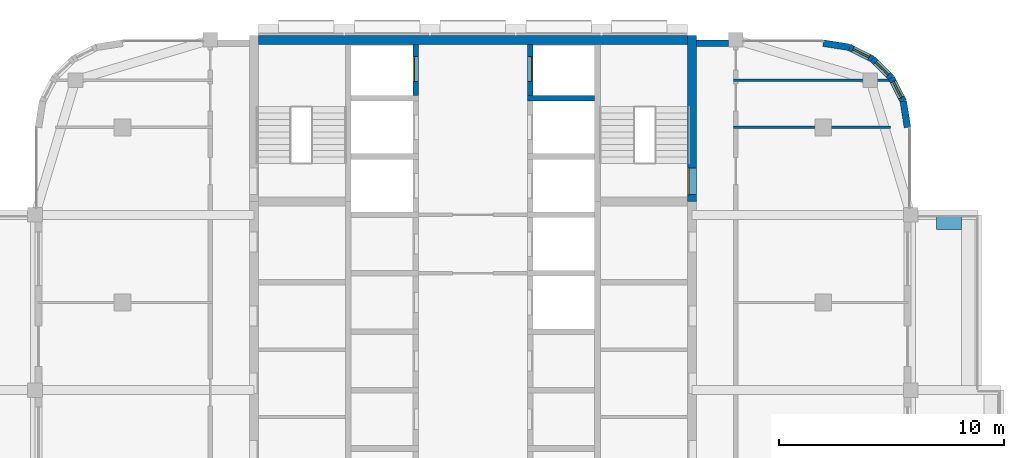
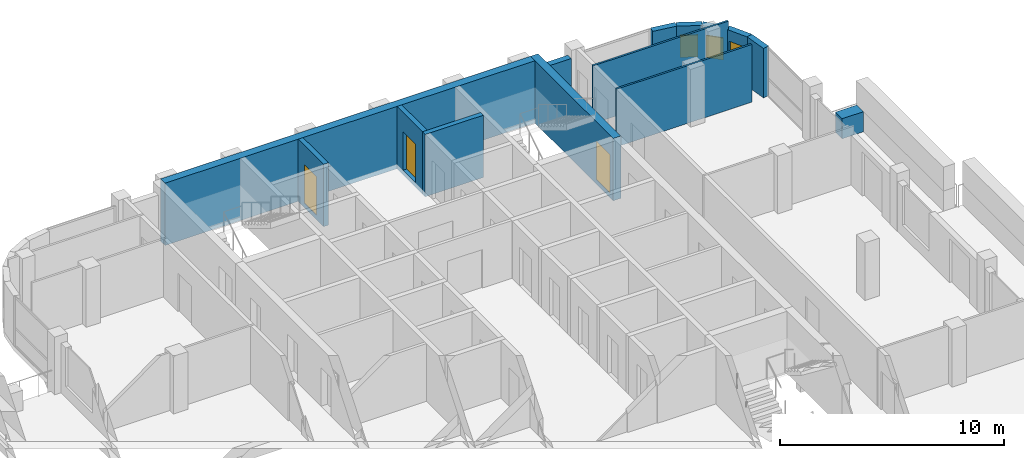
# One storey, part 14 of 19: 14 walls, 3 doors, 3 windows, 6 openings.
"""IFC4 building model written with IfcOpenShell, lengths in metres."""

from ifc_helpers import new_model, si_unit, direction, frame, frame_2d, origin, place, context, subcontext, project, spatial, rectangle, extrude, material, layer, layer_set, type_object, element, fill, save


model = new_model("IFC4")

# Units and contexts
model_context = context("Model", 3, precision=1e-05, world=origin(), true_north=direction((0.0, 1.0)))
body_context = subcontext(model_context, "Body", "Model", "MODEL_VIEW")
ifc_project = project(units=[si_unit("LENGTHUNIT", "METRE"), si_unit("AREAUNIT", "SQUARE_METRE"), si_unit("VOLUMEUNIT", "CUBIC_METRE"), si_unit("PLANEANGLEUNIT", "RADIAN"), si_unit("MASSUNIT", "GRAM", prefix="KILO")], contexts=[model_context])

# Site, building, storey
site_placement = place(None, origin())
site = spatial("IfcSite", under=ifc_project, at=site_placement, CompositionType="ELEMENT")
building_placement = place(site_placement, origin())
building = spatial("IfcBuilding", under=site, at=building_placement, Name="Ludao Terraces", CompositionType="ELEMENT")
storey_placement = place(building_placement, frame((0.0, 0.0, 256.199951171875)))
storey = spatial("IfcBuildingStorey", under=building, at=storey_placement, Name="L70", CompositionType="ELEMENT", Elevation=256.199951171875)

# Wall, opening, door
ifc_material_1 = material(Name="Concrete C50", Category="concrete")
ifc_layer_1 = layer(ifc_material_1, 0.39990234375)
ifc_layer_set_1 = layer_set([ifc_layer_1], Name="Core wall 400 C50")
wall_type_1 = type_object("IfcWallType", Name="Core wall 400 C50", PredefinedType="SOLIDWALL", material=ifc_layer_set_1)
wall_1_placement = place(storey_placement, frame((94.75, 77.300048828125, -0.25), z_axis=(0.0, 0.0, 1.0), x_axis=(0.0, 1.0, 0.0)))
wall_1 = element("IfcWall", 1, at=wall_1_placement, inside=storey, type_object=wall_type_1, Name="Core wall L70 outer-E-S2", PredefinedType="SOLIDWALL", context=body_context, shape_type="SweptSolid", body=[
    extrude(rectangle(XDim=7.39990234375, YDim=0.39990234375, at=frame_2d((3.699951171875, 0.0))), origin(), (0.0, 0.0, 1.0), 3.400146484375),
])
opening_1_placement = place(wall_1_placement, frame((0.300048828125, 0.0, 0.25)))
opening_1 = element("IfcOpeningElement", 2, at=opening_1_placement, cuts=wall_1, Name="Opening C4-040", PredefinedType="OPENING", context=body_context, shape_type="SweptSolid", body=[
    extrude(rectangle(XDim=1.199951171875, YDim=2.10009765625, at=frame_2d((0.60009765625, 1.050048828125))), frame((0.0, 0.2099609375, 0.0), z_axis=(0.0, -1.0, 0.0), x_axis=(1.0, 0.0, 0.0)), (0.0, 0.0, 1.0), 0.419921875),
])
ifc_material_2 = material(Name="Steel Q235", Category="steel")
door_type_1 = type_object("IfcDoorType", Name="INT Stair door 1200", OperationType="DOUBLE_DOOR_SINGLE_SWING", PredefinedType="DOOR", material=ifc_material_2)
door_1_placement = place(opening_1_placement, origin())
door_1 = element("IfcDoor", 3, at=door_1_placement, inside=storey, type_object=door_type_1, Name="DOOR 040", OperationType="DOUBLE_DOOR_SINGLE_SWING", OverallHeight=2.10009765625, OverallWidth=1.199951171875, PredefinedType="DOOR", context=body_context, shape_type="SweptSolid", body=[
    extrude(rectangle(XDim=1.199951171875, YDim=2.10009765625, at=frame_2d((0.60009765625, 1.050048828125))), frame((0.0, 0.18505859375, 0.0), z_axis=(0.0, -1.0, 0.0), x_axis=(1.0, 0.0, 0.0)), (0.0, 0.0, 1.0), 0.050048828125),
])
fill(opening_1, door_1)

# Walls
wall_2_placement = place(storey_placement, frame((75.449951171875, 84.5, -0.25), z_axis=(0.0, 0.0, 1.0), x_axis=(1.0, 0.0, 0.0)))
element("IfcWall", 4, at=wall_2_placement, inside=storey, type_object=wall_type_1, Name="Core wall L70 outer-N", PredefinedType="SOLIDWALL", context=body_context, shape_type="SweptSolid", body=[
    extrude(rectangle(XDim=19.10009765625, YDim=0.39990234375, at=frame_2d((9.550048828125, 0.0))), origin(), (0.0, 0.0, 1.0), 3.400146484375),
])
ifc_material_3 = material(Name="Concrete C40", Category="concrete")
ifc_layer_2 = layer(ifc_material_3, 0.60009765625)
ifc_layer_set_2 = layer_set([ifc_layer_2], Name="ENV Planter trough 600")
wall_type_2 = type_object("IfcWallType", Name="ENV Planter trough 600", PredefinedType="USERDEFINED", material=ifc_layer_set_2)
wall_3_placement = place(storey_placement, frame((106.75, 76.35009765625, 0.0), z_axis=(0.0, 0.0, 1.0), x_axis=(-1.0, 0.0, 0.0)))
element("IfcWall", 5, at=wall_3_placement, inside=storey, type_object=wall_type_2, Name="PL-L70-E3-SB", ObjectType="PLANTER", PredefinedType="USERDEFINED", context=body_context, shape_type="SweptSolid", body=[
    extrude(rectangle(XDim=1.10009765625, YDim=0.60009765625, at=frame_2d((0.550048828125, 0.0))), origin(), (0.0, 0.0, 1.0), 1.10009765625),
])
ifc_material_4 = material(Name="Granite cladding", Category="masonry")
ifc_layer_3 = layer(ifc_material_4, 0.0400390625, Category="stone")
ifc_material_5 = material(Name="Mineral wool")
ifc_layer_4 = layer(ifc_material_5, 0.06005859375)
ifc_layer_5 = layer(ifc_material_3, 0.199951171875, Category="concrete")
ifc_layer_set_3 = layer_set([ifc_layer_3, ifc_layer_4, ifc_layer_5], Name="ENV Stone-clad wall 300")
wall_type_3 = type_object("IfcWallType", Name="ENV Stone-clad wall 300", PredefinedType="SOLIDWALL", material=ifc_layer_set_3)
wall_4_placement = place(storey_placement, frame((94.949951171875, 84.35009765625, 0.0), z_axis=(0.0, 0.0, 1.0), x_axis=(1.0, 0.0, 0.0)))
element("IfcWall", 6, at=wall_4_placement, inside=storey, type_object=wall_type_3, Name="EW-L70-N3", PredefinedType="SOLIDWALL", context=body_context, shape_type="SweptSolid", body=[
    extrude(rectangle(XDim=1.425048828125, YDim=0.300048828125, at=frame_2d((0.71240234375, 0.0))), origin(), (0.0, 0.0, 1.0), 2.699951171875),
])
wall_5_placement = place(storey_placement, frame((104.35009765625, 80.60009765625, 0.0), z_axis=(0.0, 0.0, 1.0), x_axis=(-0.156496880861, 0.987678452879, 0.0)))
element("IfcWall", 7, at=wall_5_placement, inside=storey, type_object=wall_type_3, Name="EW-L70-NE1", PredefinedType="SOLIDWALL", context=body_context, shape_type="SweptSolid", body=[
    extrude(rectangle(XDim=1.173095703125, YDim=0.300048828125, at=frame_2d((0.58642578125, 0.0))), origin(), (0.0, 0.0, 1.0), 2.699951171875),
])

# Wall, opening, window
wall_6_placement = place(storey_placement, frame((104.16650390625, 81.7587890625, 0.0), z_axis=(0.0, 0.0, 1.0), x_axis=(-0.454025524128, 0.890988677504, 0.0)))
wall_6 = element("IfcWall", 8, at=wall_6_placement, inside=storey, type_object=wall_type_3, Name="EW-L70-NE2", PredefinedType="SOLIDWALL", context=body_context, shape_type="SweptSolid", body=[
    extrude(rectangle(XDim=1.17333984375, YDim=0.300048828125, at=frame_2d((0.586669921875, 0.0))), origin(), (0.0, 0.0, 1.0), 2.699951171875),
])
opening_2_placement = place(wall_6_placement, frame((0.1865234375, 0.0, 0.89990234375)))
opening_2 = element("IfcOpeningElement", 9, at=opening_2_placement, cuts=wall_6, Name="Opening W3", PredefinedType="OPENING", context=body_context, shape_type="SweptSolid", body=[
    extrude(rectangle(XDim=0.800048828125, YDim=1.199951171875, at=frame_2d((0.39990234375, 0.60009765625))), frame((0.0, 0.16015625, 0.0), z_axis=(0.0, -1.0, 0.0), x_axis=(1.0, 0.0, 0.0)), (0.0, 0.0, 1.0), 0.320068359375),
])
ifc_material_6 = material(Name="Clear glass in aluminium frame", Category="aluminium")
ifc_layer_6 = layer(ifc_material_6, 0.06005859375)
ifc_layer_set_4 = layer_set([ifc_layer_6], Name="ENV Window W3 800x1200")
window_type = type_object("IfcWindowType", Name="ENV Window W3 800x1200", PartitioningType="SINGLE_PANEL", PredefinedType="WINDOW", material=ifc_layer_set_4)
window_1_placement = place(opening_2_placement, origin())
window_1 = element("IfcWindow", 10, at=window_1_placement, inside=storey, type_object=window_type, Name="W-L70-NE2", OverallHeight=1.199951171875, OverallWidth=0.800048828125, PartitioningType="SINGLE_PANEL", PredefinedType="WINDOW", context=body_context, shape_type="SweptSolid", body=[
    extrude(rectangle(XDim=0.800048828125, YDim=1.199951171875, at=frame_2d((0.39990234375, 0.60009765625))), frame((0.0, 0.030029296875, 0.0), z_axis=(0.0, -1.0, 0.0), x_axis=(1.0, 0.0, 0.0)), (0.0, 0.0, 1.0), 0.06005859375),
])
fill(opening_2, window_1)

wall_7_placement = place(storey_placement, frame((103.6337890625, 82.80419921875, 0.0), z_axis=(0.0, 0.0, 1.0), x_axis=(-0.707106781187, 0.707106781187, 0.0)))
wall_7 = element("IfcWall", 11, at=wall_7_placement, inside=storey, type_object=wall_type_3, Name="EW-L70-NE3", PredefinedType="SOLIDWALL", context=body_context, shape_type="SweptSolid", body=[
    extrude(rectangle(XDim=1.173095703125, YDim=0.300048828125, at=frame_2d((0.58642578125, 0.0))), origin(), (0.0, 0.0, 1.0), 2.699951171875),
])
opening_3_placement = place(wall_7_placement, frame((0.1865234375, 0.0, 0.89990234375)))
opening_3 = element("IfcOpeningElement", 12, at=opening_3_placement, cuts=wall_7, Name="Opening W3", PredefinedType="OPENING", context=body_context, shape_type="SweptSolid", body=[
    extrude(rectangle(XDim=0.800048828125, YDim=1.199951171875, at=frame_2d((0.39990234375, 0.60009765625))), frame((0.0, 0.16015625, 0.0), z_axis=(0.0, -1.0, 0.0), x_axis=(1.0, 0.0, 0.0)), (0.0, 0.0, 1.0), 0.320068359375),
])
window_2_placement = place(opening_3_placement, origin())
window_2 = element("IfcWindow", 13, at=window_2_placement, inside=storey, type_object=window_type, Name="W-L70-NE3", OverallHeight=1.199951171875, OverallWidth=0.800048828125, PartitioningType="SINGLE_PANEL", PredefinedType="WINDOW", context=body_context, shape_type="SweptSolid", body=[
    extrude(rectangle(XDim=0.800048828125, YDim=1.199951171875, at=frame_2d((0.39990234375, 0.60009765625))), frame((0.0, 0.030029296875, 0.0), z_axis=(0.0, -1.0, 0.0), x_axis=(1.0, 0.0, 0.0)), (0.0, 0.0, 1.0), 0.06005859375),
])
fill(opening_3, window_2)

wall_8_placement = place(storey_placement, frame((102.80419921875, 83.6337890625, 0.0), z_axis=(0.0, 0.0, 1.0), x_axis=(-0.890988677504, 0.454025524128, 0.0)))
wall_8 = element("IfcWall", 14, at=wall_8_placement, inside=storey, type_object=wall_type_3, Name="EW-L70-NE4", PredefinedType="SOLIDWALL", context=body_context, shape_type="SweptSolid", body=[
    extrude(rectangle(XDim=1.17333984375, YDim=0.300048828125, at=frame_2d((0.586669921875, 0.0))), origin(), (0.0, 0.0, 1.0), 2.699951171875),
])
opening_4_placement = place(wall_8_placement, frame((0.1865234375, 0.0, 0.89990234375)))
opening_4 = element("IfcOpeningElement", 15, at=opening_4_placement, cuts=wall_8, Name="Opening W3", PredefinedType="OPENING", context=body_context, shape_type="SweptSolid", body=[
    extrude(rectangle(XDim=0.800048828125, YDim=1.199951171875, at=frame_2d((0.39990234375, 0.60009765625))), frame((0.0, 0.16015625, 0.0), z_axis=(0.0, -1.0, 0.0), x_axis=(1.0, 0.0, 0.0)), (0.0, 0.0, 1.0), 0.320068359375),
])
window_3_placement = place(opening_4_placement, origin())
window_3 = element("IfcWindow", 16, at=window_3_placement, inside=storey, type_object=window_type, Name="W-L70-NE4", OverallHeight=1.199951171875, OverallWidth=0.800048828125, PartitioningType="SINGLE_PANEL", PredefinedType="WINDOW", context=body_context, shape_type="SweptSolid", body=[
    extrude(rectangle(XDim=0.800048828125, YDim=1.199951171875, at=frame_2d((0.39990234375, 0.60009765625))), frame((0.0, 0.030029296875, 0.0), z_axis=(0.0, -1.0, 0.0), x_axis=(1.0, 0.0, 0.0)), (0.0, 0.0, 1.0), 0.06005859375),
])
fill(opening_4, window_3)

# Walls
wall_9_placement = place(storey_placement, frame((101.7587890625, 84.16650390625, 0.0), z_axis=(0.0, 0.0, 1.0), x_axis=(-0.987678452879, 0.156496880861, 0.0)))
element("IfcWall", 17, at=wall_9_placement, inside=storey, type_object=wall_type_3, Name="EW-L70-NE5", PredefinedType="SOLIDWALL", context=body_context, shape_type="SweptSolid", body=[
    extrude(rectangle(XDim=1.173095703125, YDim=0.300048828125, at=frame_2d((0.58642578125, 0.0))), origin(), (0.0, 0.0, 1.0), 2.699951171875),
])
ifc_material_7 = material(Name="Gypsum plasterboard", Category="gypsum")
ifc_layer_7 = layer(ifc_material_7, 0.012451171875, Category="gypsum")
ifc_layer_8 = layer(ifc_material_5, 0.06005859375, Name="insulation")
ifc_layer_9 = layer(ifc_material_2, 0.014892578125, Name="stud")
ifc_layer_10 = layer(ifc_material_7, 0.012451171875, Category="gypsum")
ifc_layer_set_5 = layer_set([ifc_layer_7, ifc_layer_8, ifc_layer_9, ifc_layer_10], Name="INT Partition 100")
wall_type_4 = type_object("IfcWallType", Name="INT Partition 100", PredefinedType="PARTITIONING", material=ifc_layer_set_5)
for number, where, z_axis, x_axis, name in (
    (18, (96.60009765625, 80.60009765625, 0.0), (0.0, 0.0, 1.0), (1.0, 0.0, 0.0), "PW-L70-PW014"),
    (19, (96.60009765625, 82.699951171875, 0.0), (0.0, 0.0, 1.0), (1.0, 0.0, 0.0), "PW-L70-PW016"),
):
    element("IfcWall", number, at=place(storey_placement, frame(where, z_axis=z_axis, x_axis=x_axis)), inside=storey, type_object=wall_type_4, Name=name, PredefinedType="PARTITIONING", context=body_context, shape_type="SweptSolid", body=[
        extrude(rectangle(XDim=6.989990234375, YDim=0.10009765625, at=frame_2d((3.4951171875, 0.0))), origin(), (0.0, 0.0, 1.0), 3.150146484375),
    ])

# Wall, opening, door
ifc_layer_11 = layer(ifc_material_1, 0.25)
ifc_layer_set_6 = layer_set([ifc_layer_11], Name="Shaft wall 250 C50")
wall_type_5 = type_object("IfcWallType", Name="Shaft wall 250 C50", PredefinedType="SOLIDWALL", material=ifc_layer_set_6)
wall_10_placement = place(storey_placement, frame((82.449951171875, 82.02490234375, -0.25), z_axis=(0.0, 0.0, 1.0), x_axis=(0.0, 1.0, 0.0)))
wall_10 = element("IfcWall", 20, at=wall_10_placement, inside=storey, type_object=wall_type_5, Name="Core wall L70 front-W9", PredefinedType="SOLIDWALL", context=body_context, shape_type="SweptSolid", body=[
    extrude(rectangle(XDim=2.275146484375, YDim=0.25, at=frame_2d((1.1376953125, 0.0))), origin(), (0.0, 0.0, 1.0), 3.400146484375),
])
opening_5_placement = place(wall_10_placement, frame((0.625, 0.0, 0.25)))
opening_5 = element("IfcOpeningElement", 21, at=opening_5_placement, cuts=wall_10, Name="Opening LD-LB6", PredefinedType="OPENING", context=body_context, shape_type="SweptSolid", body=[
    extrude(rectangle(XDim=1.10009765625, YDim=2.10009765625, at=frame_2d((0.550048828125, 1.050048828125))), frame((0.0, 0.135009765625, 0.0), z_axis=(0.0, -1.0, 0.0), x_axis=(1.0, 0.0, 0.0)), (0.0, 0.0, 1.0), 0.27001953125),
])
ifc_material_8 = material(Name="Stainless steel 304", Category="steel")
door_type_2 = type_object("IfcDoorType", Name="INT Lift landing door 1100", OperationType="SLIDING_TO_LEFT", PredefinedType="DOOR", material=ifc_material_8)
door_2_placement = place(opening_5_placement, origin())
door_2 = element("IfcDoor", 22, at=door_2_placement, inside=storey, type_object=door_type_2, Name="LANDING DOOR LB6 L70", OperationType="SLIDING_TO_RIGHT", OverallHeight=2.10009765625, OverallWidth=1.10009765625, PredefinedType="DOOR", context=body_context, shape_type="SweptSolid", body=[
    extrude(rectangle(XDim=1.10009765625, YDim=2.10009765625, at=frame_2d((0.550048828125, 1.050048828125))), frame((0.0, 0.10986328125, 0.0), z_axis=(0.0, -1.0, 0.0), x_axis=(1.0, 0.0, 0.0)), (0.0, 0.0, 1.0), 0.050048828125),
])
fill(opening_5, door_2)

# Wall
wall_11_placement = place(storey_placement, frame((87.425048828125, 81.89990234375, -0.25), z_axis=(0.0, 0.0, 1.0), x_axis=(1.0, 0.0, 0.0)))
element("IfcWall", 23, at=wall_11_placement, inside=storey, type_object=wall_type_5, Name="Core wall L70 div-E9", PredefinedType="SOLIDWALL", context=body_context, shape_type="SweptSolid", body=[
    extrude(rectangle(XDim=3.0, YDim=0.25, at=frame_2d((1.5, 0.0))), origin(), (0.0, 0.0, 1.0), 3.400146484375),
])

# Wall, opening, door
wall_12_placement = place(storey_placement, frame((87.550048828125, 82.02490234375, -0.25), z_axis=(0.0, 0.0, 1.0), x_axis=(0.0, 1.0, 0.0)))
wall_12 = element("IfcWall", 24, at=wall_12_placement, inside=storey, type_object=wall_type_5, Name="Core wall L70 front-E9", PredefinedType="SOLIDWALL", context=body_context, shape_type="SweptSolid", body=[
    extrude(rectangle(XDim=2.275146484375, YDim=0.25, at=frame_2d((1.1376953125, 0.0))), origin(), (0.0, 0.0, 1.0), 3.400146484375),
])
opening_6_placement = place(wall_12_placement, frame((0.625, 0.0, 0.25)))
opening_6 = element("IfcOpeningElement", 25, at=opening_6_placement, cuts=wall_12, Name="Opening LD-LB5", PredefinedType="OPENING", context=body_context, shape_type="SweptSolid", body=[
    extrude(rectangle(XDim=1.10009765625, YDim=2.10009765625, at=frame_2d((0.550048828125, 1.050048828125))), frame((0.0, 0.135009765625, 0.0), z_axis=(0.0, -1.0, 0.0), x_axis=(1.0, 0.0, 0.0)), (0.0, 0.0, 1.0), 0.27001953125),
])
door_3_placement = place(opening_6_placement, origin())
door_3 = element("IfcDoor", 26, at=door_3_placement, inside=storey, type_object=door_type_2, Name="LANDING DOOR LB5 L70", OperationType="SLIDING_TO_RIGHT", OverallHeight=2.10009765625, OverallWidth=1.10009765625, PredefinedType="DOOR", context=body_context, shape_type="SweptSolid", body=[
    extrude(rectangle(XDim=1.10009765625, YDim=2.10009765625, at=frame_2d((0.550048828125, 1.050048828125))), frame((0.0, -0.06005859375, 0.0), z_axis=(0.0, -1.0, 0.0), x_axis=(1.0, 0.0, 0.0)), (0.0, 0.0, 1.0), 0.050048828125),
])
fill(opening_6, door_3)

save(model, "model.ifc")
